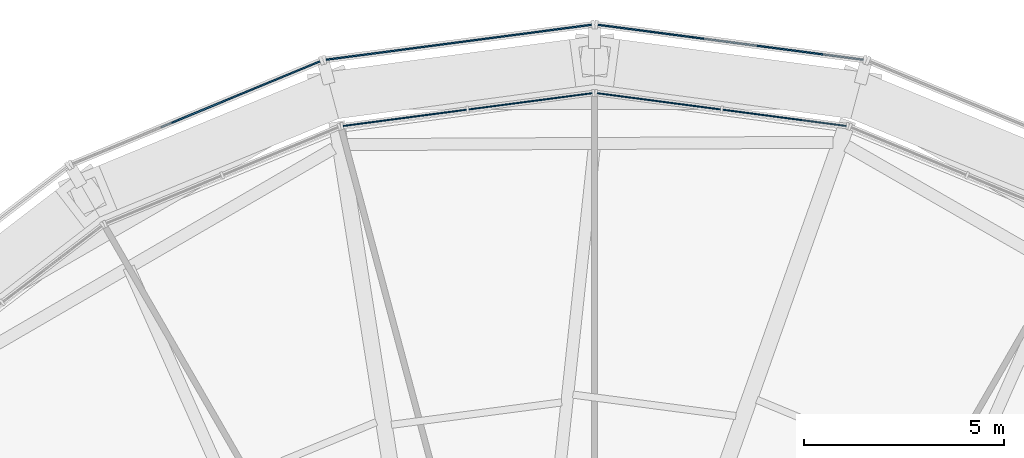
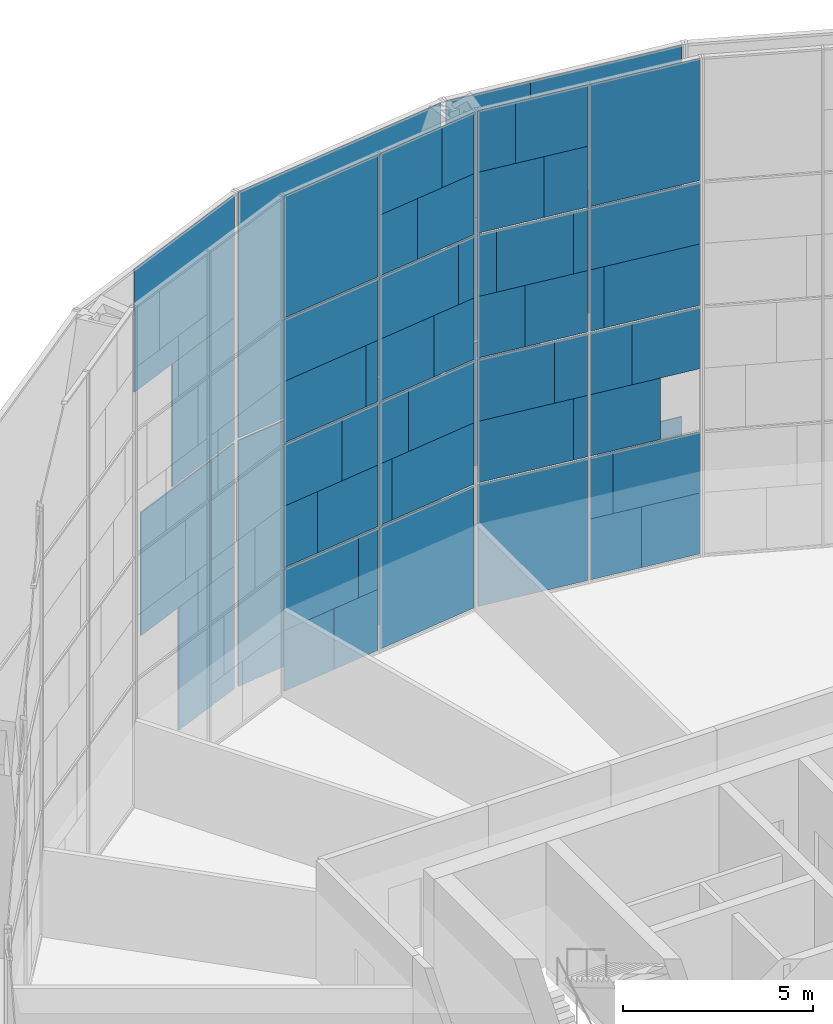
# One storey, part 23 of 30: 63 plates, 5 elements without a shape of their own.
"""IFC4 building model written with IfcOpenShell, lengths in metres."""

from ifc_helpers import new_model, si_unit, direction, frame, origin, origin_2d, place, context, subcontext, project, spatial, rectangle, extrude, material, layer, layer_set, type_object, element, aggregate, save


model = new_model("IFC4")

# Units and contexts
model_context = context("Model", 3, precision=1e-05, world=origin(), true_north=direction((0.0, 1.0)))
body_context = subcontext(model_context, "Body", "Model", "MODEL_VIEW")
ifc_project = project(units=[si_unit("LENGTHUNIT", "METRE"), si_unit("AREAUNIT", "SQUARE_METRE"), si_unit("VOLUMEUNIT", "CUBIC_METRE"), si_unit("PLANEANGLEUNIT", "RADIAN"), si_unit("MASSUNIT", "GRAM", prefix="KILO")], contexts=[model_context])

# Site, building, storey
site_placement = place(None, origin())
site = spatial("IfcSite", under=ifc_project, at=site_placement, CompositionType="ELEMENT")
building_placement = place(site_placement, origin())
building = spatial("IfcBuilding", under=site, at=building_placement, Name="Golbaran Civic Tower", CompositionType="ELEMENT")
storey_placement = place(building_placement, frame((0.0, 0.0, 102.0)))
storey = spatial("IfcBuildingStorey", under=building, at=storey_placement, Name="L24", CompositionType="ELEMENT", Elevation=102.0)

# Curtain wall, plates
ifc_material_1 = material(Name="Aluminium and glass", Category="aluminium")
curtain_wall_type_1 = type_object("IfcCurtainWallType", Name="INNER SKIN CURTAIN WALL", PredefinedType="NOTDEFINED", material=ifc_material_1)
curtain_wall_1_placement = place(storey_placement, origin())
curtain_wall_1 = element("IfcCurtainWall", 1, at=curtain_wall_1_placement, inside=storey, type_object=curtain_wall_type_1, Name="Inner skin L24 facet 6 CW1", ObjectType="INNER SKIN", PredefinedType="USERDEFINED")
ifc_material_2 = material(Name="Clear insulating glass", Category="glass")
ifc_layer_1 = layer(ifc_material_2, 0.031982421875, Name="Clear insulating glass")
ifc_layer_set_1 = layer_set([ifc_layer_1], Name="Clear insulating glass")
plate_type_1 = type_object("IfcPlateType", Name="INNER SKIN CURTAIN WALL GLAZED PANEL", PredefinedType="CURTAIN_PANEL", material=ifc_layer_set_1)
plate_1_placement = place(storey_placement, frame((3.936767578125, 24.059814453125, 0.06494140625), z_axis=(0.0, 0.0, 1.0), x_axis=(-0.991444861385, 0.130526192134, 0.0)))
plate_1 = element("IfcPlate", 2, at=plate_1_placement, type_object=plate_type_1, Name="CW1 panel 1.1 part 2", PredefinedType="CURTAIN_PANEL", context=body_context, shape_type="SweptSolid", body=[
    extrude(rectangle(XDim=1.460693359375, YDim=0.031982421875, at=origin_2d()), origin(), (0.0, 0.0, 1.0), 1.951171875),
])
plate_2_placement = place(storey_placement, frame((3.535888671875, 24.112548828125, 2.016357421875), z_axis=(0.0, 0.0, 1.0), x_axis=(-0.991444861385, 0.130526192134, 0.0)))
plate_2 = element("IfcPlate", 3, at=plate_2_placement, type_object=plate_type_1, Name="CW1 panel 1.1 part 4", PredefinedType="CURTAIN_PANEL", context=body_context, shape_type="SweptSolid", body=[
    extrude(rectangle(XDim=0.651611328125, YDim=0.031982421875, at=origin_2d()), origin(), (0.0, 0.0, 1.0), 1.951171875),
])
plate_3_placement = place(storey_placement, frame((5.345458984375, 23.874267578125, 6.0), z_axis=(0.0, 0.0, 1.0), x_axis=(-0.991444861385, 0.130526192134, 0.0)))
plate_3 = element("IfcPlate", 4, at=plate_3_placement, type_object=plate_type_1, Name="CW1 panel 1.2 part 3", PredefinedType="CURTAIN_PANEL", context=body_context, shape_type="SweptSolid", body=[
    extrude(rectangle(XDim=1.9189453125, YDim=0.031982421875, at=origin_2d()), origin(), (0.0, 0.0, 1.0), 1.967529296875),
])
plate_4_placement = place(storey_placement, frame((4.953857421875, 23.92578125, 8.03271484375), z_axis=(0.0, 0.0, 1.0), x_axis=(-0.991444861385, 0.130526192134, 0.0)))
plate_4 = element("IfcPlate", 5, at=plate_4_placement, type_object=plate_type_1, Name="CW1 panel 1.3 part 1", PredefinedType="CURTAIN_PANEL", context=body_context, shape_type="SweptSolid", body=[
    extrude(rectangle(XDim=2.708984375, YDim=0.031982421875, at=origin_2d()), origin(), (0.0, 0.0, 1.0), 1.967529296875),
])
plate_5_placement = place(storey_placement, frame((4.7548828125, 23.951904296875, 10.0), z_axis=(0.0, 0.0, 1.0), x_axis=(-0.991444861385, 0.130526192134, 0.0)))
plate_5 = element("IfcPlate", 6, at=plate_5_placement, type_object=plate_type_1, Name="CW1 panel 1.3 part 3", PredefinedType="CURTAIN_PANEL", context=body_context, shape_type="SweptSolid", body=[
    extrude(rectangle(XDim=3.110595703125, YDim=0.031982421875, at=origin_2d()), origin(), (0.0, 0.0, 1.0), 1.967529296875),
])
plate_6_placement = place(storey_placement, frame((4.7548828125, 23.951904296875, 12.0322265625), z_axis=(0.0, 0.0, 1.0), x_axis=(-0.991444861385, 0.130526192134, 0.0)))
plate_6 = element("IfcPlate", 7, at=plate_6_placement, type_object=plate_type_1, Name="CW1 panel 1.4", PredefinedType="CURTAIN_PANEL", context=body_context, shape_type="SweptSolid", body=[
    extrude(rectangle(XDim=3.110595703125, YDim=0.031982421875, at=origin_2d()), origin(), (0.0, 0.0, 1.0), 3.902587890625),
])
plate_7_placement = place(storey_placement, frame((1.6064453125, 24.366455078125, 0.06494140625), z_axis=(0.0, 0.0, 1.0), x_axis=(-0.991444861385, 0.130526192134, 0.0)))
plate_7 = element("IfcPlate", 8, at=plate_7_placement, type_object=plate_type_1, Name="CW1 panel 2.1", PredefinedType="CURTAIN_PANEL", context=body_context, shape_type="SweptSolid", body=[
    extrude(rectangle(XDim=3.110595703125, YDim=0.031982421875, at=origin_2d()), origin(), (0.0, 0.0, 1.0), 3.902587890625),
])
plate_8_placement = place(storey_placement, frame((1.40771484375, 24.392578125, 4.03271484375), z_axis=(0.0, 0.0, 1.0), x_axis=(-0.991444861385, 0.130526192134, 0.0)))
plate_8 = element("IfcPlate", 9, at=plate_8_placement, type_object=plate_type_1, Name="CW1 panel 2.2 part 2", PredefinedType="CURTAIN_PANEL", context=body_context, shape_type="SweptSolid", body=[
    extrude(rectangle(XDim=2.70947265625, YDim=0.031982421875, at=origin_2d()), origin(), (0.0, 0.0, 1.0), 1.967529296875),
])
plate_9_placement = place(storey_placement, frame((1.140380859375, 24.427978515625, 6.0), z_axis=(0.0, 0.0, 1.0), x_axis=(-0.991444861385, 0.130526192134, 0.0)))
plate_9 = element("IfcPlate", 10, at=plate_9_placement, type_object=plate_type_1, Name="CW1 panel 2.2 part 4", PredefinedType="CURTAIN_PANEL", context=body_context, shape_type="SweptSolid", body=[
    extrude(rectangle(XDim=2.170654296875, YDim=0.031982421875, at=origin_2d()), origin(), (0.0, 0.0, 1.0), 1.967529296875),
])
plate_10_placement = place(storey_placement, frame((0.72314453125, 24.48291015625, 8.03271484375), z_axis=(0.0, 0.0, 1.0), x_axis=(-0.991444861385, 0.130526192134, 0.0)))
plate_10 = element("IfcPlate", 11, at=plate_10_placement, type_object=plate_type_1, Name="CW1 panel 2.3 part 2", PredefinedType="CURTAIN_PANEL", context=body_context, shape_type="SweptSolid", body=[
    extrude(rectangle(XDim=1.32861328125, YDim=0.031982421875, at=origin_2d()), origin(), (0.0, 0.0, 1.0), 1.967529296875),
])
plate_11_placement = place(storey_placement, frame((2.9501953125, 24.189697265625, 10.0), z_axis=(0.0, 0.0, 1.0), x_axis=(-0.991444861385, 0.130526192134, 0.0)))
plate_11 = element("IfcPlate", 12, at=plate_11_placement, type_object=plate_type_1, Name="CW1 panel 2.3 part 3", PredefinedType="CURTAIN_PANEL", context=body_context, shape_type="SweptSolid", body=[
    extrude(rectangle(XDim=0.39990234375, YDim=0.031982421875, at=origin_2d()), origin(), (0.0, 0.0, 1.0), 1.967529296875),
])
plate_12_placement = place(storey_placement, frame((0.319091796875, 24.535888671875, 10.0), z_axis=(0.0, 0.0, 1.0), x_axis=(-0.991444861385, 0.130526192134, 0.0)))
plate_12 = element("IfcPlate", 13, at=plate_12_placement, type_object=plate_type_1, Name="CW1 panel 2.3 part 5", PredefinedType="CURTAIN_PANEL", context=body_context, shape_type="SweptSolid", body=[
    extrude(rectangle(XDim=0.513671875, YDim=0.031982421875, at=origin_2d()), origin(), (0.0, 0.0, 1.0), 1.967529296875),
])
plate_13_placement = place(storey_placement, frame((2.53271484375, 24.24462890625, 12.032470703125), z_axis=(0.0, 0.0, 1.0), x_axis=(-0.991444861385, 0.130526192134, 0.0)))
plate_13 = element("IfcPlate", 14, at=plate_13_placement, type_object=plate_type_1, Name="CW1 panel 2.4 part 1", PredefinedType="CURTAIN_PANEL", context=body_context, shape_type="SweptSolid", body=[
    extrude(rectangle(XDim=1.241943359375, YDim=0.031982421875, at=origin_2d()), origin(), (0.0, 0.0, 1.0), 1.951171875),
])
plate_14_placement = place(storey_placement, frame((2.132080078125, 24.29736328125, 13.98388671875), z_axis=(0.0, 0.0, 1.0), x_axis=(-0.991444861385, 0.130526192134, 0.0)))
plate_14 = element("IfcPlate", 15, at=plate_14_placement, type_object=plate_type_1, Name="CW1 panel 2.4 part 3", PredefinedType="CURTAIN_PANEL", context=body_context, shape_type="SweptSolid", body=[
    extrude(rectangle(XDim=2.050048828125, YDim=0.031982421875, at=origin_2d()), origin(), (0.0, 0.0, 1.0), 1.951171875),
])

curtain_wall_2_placement = place(storey_placement, origin())
curtain_wall_2 = element("IfcCurtainWall", 16, at=curtain_wall_2_placement, inside=storey, type_object=curtain_wall_type_1, Name="Inner skin L24 facet 7 CW1", ObjectType="INNER SKIN", PredefinedType="USERDEFINED")
plate_15_placement = place(storey_placement, frame((-1.6064453125, 24.366455078125, 0.06494140625), z_axis=(0.0, 0.0, 1.0), x_axis=(-0.991444861385, -0.130526192134, 0.0)))
plate_15 = element("IfcPlate", 17, at=plate_15_placement, type_object=plate_type_1, Name="CW1 panel 1.1", PredefinedType="CURTAIN_PANEL", context=body_context, shape_type="SweptSolid", body=[
    extrude(rectangle(XDim=3.110595703125, YDim=0.031982421875, at=origin_2d()), origin(), (0.0, 0.0, 1.0), 3.902587890625),
])
plate_16_placement = place(storey_placement, frame((-1.407470703125, 24.392822265625, 4.03271484375), z_axis=(0.0, 0.0, 1.0), x_axis=(-0.991444861385, -0.130526192134, 0.0)))
plate_16 = element("IfcPlate", 18, at=plate_16_placement, type_object=plate_type_1, Name="CW1 panel 1.2 part 1", PredefinedType="CURTAIN_PANEL", context=body_context, shape_type="SweptSolid", body=[
    extrude(rectangle(XDim=2.708984375, YDim=0.031982421875, at=origin_2d()), origin(), (0.0, 0.0, 1.0), 1.967529296875),
])
plate_17_placement = place(storey_placement, frame((-1.140625, 24.427734375, 6.0), z_axis=(0.0, 0.0, 1.0), x_axis=(-0.991444861385, -0.130526192134, 0.0)))
plate_17 = element("IfcPlate", 19, at=plate_17_placement, type_object=plate_type_1, Name="CW1 panel 1.2 part 3", PredefinedType="CURTAIN_PANEL", context=body_context, shape_type="SweptSolid", body=[
    extrude(rectangle(XDim=2.1708984375, YDim=0.031982421875, at=origin_2d()), origin(), (0.0, 0.0, 1.0), 1.967529296875),
])
plate_18_placement = place(storey_placement, frame((-0.72314453125, 24.482666015625, 8.03271484375), z_axis=(0.0, 0.0, 1.0), x_axis=(-0.991444861385, -0.130526192134, 0.0)))
plate_18 = element("IfcPlate", 20, at=plate_18_placement, type_object=plate_type_1, Name="CW1 panel 1.3 part 1", PredefinedType="CURTAIN_PANEL", context=body_context, shape_type="SweptSolid", body=[
    extrude(rectangle(XDim=1.3291015625, YDim=0.031982421875, at=origin_2d()), origin(), (0.0, 0.0, 1.0), 1.967529296875),
])
plate_19_placement = place(storey_placement, frame((-0.3193359375, 24.535888671875, 10.0), z_axis=(0.0, 0.0, 1.0), x_axis=(-0.991444861385, -0.130526192134, 0.0)))
plate_19 = element("IfcPlate", 21, at=plate_19_placement, type_object=plate_type_1, Name="CW1 panel 1.3 part 3", PredefinedType="CURTAIN_PANEL", context=body_context, shape_type="SweptSolid", body=[
    extrude(rectangle(XDim=0.513916015625, YDim=0.031982421875, at=origin_2d()), origin(), (0.0, 0.0, 1.0), 1.967529296875),
])
plate_20_placement = place(storey_placement, frame((-2.532958984375, 24.24462890625, 12.032470703125), z_axis=(0.0, 0.0, 1.0), x_axis=(-0.991444861385, -0.130526192134, 0.0)))
plate_20 = element("IfcPlate", 22, at=plate_20_placement, type_object=plate_type_1, Name="CW1 panel 1.4 part 2", PredefinedType="CURTAIN_PANEL", context=body_context, shape_type="SweptSolid", body=[
    extrude(rectangle(XDim=1.241455078125, YDim=0.031982421875, at=origin_2d()), origin(), (0.0, 0.0, 1.0), 1.951171875),
])
plate_21_placement = place(storey_placement, frame((-2.13232421875, 24.29736328125, 13.98388671875), z_axis=(0.0, 0.0, 1.0), x_axis=(-0.991444861385, -0.130526192134, 0.0)))
plate_21 = element("IfcPlate", 23, at=plate_21_placement, type_object=plate_type_1, Name="CW1 panel 1.4 part 4", PredefinedType="CURTAIN_PANEL", context=body_context, shape_type="SweptSolid", body=[
    extrude(rectangle(XDim=2.049560546875, YDim=0.031982421875, at=origin_2d()), origin(), (0.0, 0.0, 1.0), 1.951171875),
])
plate_22_placement = place(storey_placement, frame((-3.9365234375, 24.059814453125, 0.06494140625), z_axis=(0.0, 0.0, 1.0), x_axis=(-0.991444861385, -0.130526192134, 0.0)))
plate_22 = element("IfcPlate", 24, at=plate_22_placement, type_object=plate_type_1, Name="CW1 panel 2.1 part 1", PredefinedType="CURTAIN_PANEL", context=body_context, shape_type="SweptSolid", body=[
    extrude(rectangle(XDim=1.4599609375, YDim=0.031982421875, at=origin_2d()), origin(), (0.0, 0.0, 1.0), 1.951171875),
])
plate_23_placement = place(storey_placement, frame((-3.5361328125, 24.112548828125, 2.016357421875), z_axis=(0.0, 0.0, 1.0), x_axis=(-0.991444861385, -0.130526192134, 0.0)))
plate_23 = element("IfcPlate", 25, at=plate_23_placement, type_object=plate_type_1, Name="CW1 panel 2.1 part 3", PredefinedType="CURTAIN_PANEL", context=body_context, shape_type="SweptSolid", body=[
    extrude(rectangle(XDim=0.652099609375, YDim=0.031982421875, at=origin_2d()), origin(), (0.0, 0.0, 1.0), 1.951171875),
])
plate_24_placement = place(storey_placement, frame((-5.749755859375, 23.821044921875, 4.03271484375), z_axis=(0.0, 0.0, 1.0), x_axis=(-0.991444861385, -0.130526192134, 0.0)))
plate_24 = element("IfcPlate", 26, at=plate_24_placement, type_object=plate_type_1, Name="CW1 panel 2.2 part 2", PredefinedType="CURTAIN_PANEL", context=body_context, shape_type="SweptSolid", body=[
    extrude(rectangle(XDim=1.103515625, YDim=0.031982421875, at=origin_2d()), origin(), (0.0, 0.0, 1.0), 1.967529296875),
])
plate_25_placement = place(storey_placement, frame((-5.345703125, 23.874267578125, 6.0), z_axis=(0.0, 0.0, 1.0), x_axis=(-0.991444861385, -0.130526192134, 0.0)))
plate_25 = element("IfcPlate", 27, at=plate_25_placement, type_object=plate_type_1, Name="CW1 panel 2.2 part 4", PredefinedType="CURTAIN_PANEL", context=body_context, shape_type="SweptSolid", body=[
    extrude(rectangle(XDim=1.91845703125, YDim=0.031982421875, at=origin_2d()), origin(), (0.0, 0.0, 1.0), 1.967529296875),
])
plate_26_placement = place(storey_placement, frame((-4.953125, 23.926025390625, 8.03271484375), z_axis=(0.0, 0.0, 1.0), x_axis=(-0.991444861385, -0.130526192134, 0.0)))
plate_26 = element("IfcPlate", 28, at=plate_26_placement, type_object=plate_type_1, Name="CW1 panel 2.3 part 2", PredefinedType="CURTAIN_PANEL", context=body_context, shape_type="SweptSolid", body=[
    extrude(rectangle(XDim=2.710693359375, YDim=0.031982421875, at=origin_2d()), origin(), (0.0, 0.0, 1.0), 1.967529296875),
])
plate_27_placement = place(storey_placement, frame((-4.7548828125, 23.951904296875, 10.0), z_axis=(0.0, 0.0, 1.0), x_axis=(-0.991444861385, -0.130526192134, 0.0)))
plate_27 = element("IfcPlate", 29, at=plate_27_placement, type_object=plate_type_1, Name="CW1 panel 2.3 part 3", PredefinedType="CURTAIN_PANEL", context=body_context, shape_type="SweptSolid", body=[
    extrude(rectangle(XDim=3.110595703125, YDim=0.031982421875, at=origin_2d()), origin(), (0.0, 0.0, 1.0), 1.967529296875),
])
plate_28_placement = place(storey_placement, frame((-4.7548828125, 23.951904296875, 12.0322265625), z_axis=(0.0, 0.0, 1.0), x_axis=(-0.991444861385, -0.130526192134, 0.0)))
plate_28 = element("IfcPlate", 30, at=plate_28_placement, type_object=plate_type_1, Name="CW1 panel 2.4", PredefinedType="CURTAIN_PANEL", context=body_context, shape_type="SweptSolid", body=[
    extrude(rectangle(XDim=3.110595703125, YDim=0.031982421875, at=origin_2d()), origin(), (0.0, 0.0, 1.0), 3.902587890625),
])

# Plate
ifc_material_3 = material(Name="Aluminium faced opaque infill panel", Category="aluminium")
ifc_layer_2 = layer(ifc_material_3, 0.031982421875, Name="Aluminium faced opaque infill panel")
ifc_layer_set_2 = layer_set([ifc_layer_2], Name="Aluminium faced opaque infill panel")
plate_type_2 = type_object("IfcPlateType", Name="INNER SKIN CURTAIN WALL OPAQUE INFILL PANEL", PredefinedType="CURTAIN_PANEL", material=ifc_layer_set_2)
plate_29_placement = place(storey_placement, frame((5.478759765625, 23.856689453125, 0.06494140625), z_axis=(0.0, 0.0, 1.0), x_axis=(-0.991444861385, 0.130526192134, 0.0)))
plate_29 = element("IfcPlate", 31, at=plate_29_placement, type_object=plate_type_2, Name="CW1 infill panel 1.1 part 1", PredefinedType="CURTAIN_PANEL", context=body_context, shape_type="SweptSolid", body=[
    extrude(rectangle(XDim=1.64990234375, YDim=0.031982421875, at=origin_2d()), origin(), (0.0, 0.0, 1.0), 1.951171875),
])

plate_30_placement = place(storey_placement, frame((5.077880859375, 23.909423828125, 2.016357421875), z_axis=(0.0, 0.0, 1.0), x_axis=(-0.991444861385, 0.130526192134, 0.0)))
plate_30 = element("IfcPlate", 32, at=plate_30_placement, type_object=plate_type_2, Name="CW1 infill panel 1.1 part 3", PredefinedType="CURTAIN_PANEL", context=body_context, shape_type="SweptSolid", body=[
    extrude(rectangle(XDim=2.458984375, YDim=0.031982421875, at=origin_2d()), origin(), (0.0, 0.0, 1.0), 1.951171875),
])

plate_31_placement = place(storey_placement, frame((4.20751953125, 24.024169921875, 4.03271484375), z_axis=(0.0, 0.0, 1.0), x_axis=(-0.991444861385, 0.130526192134, 0.0)))
plate_31 = element("IfcPlate", 33, at=plate_31_placement, type_object=plate_type_2, Name="CW1 infill panel 1.2 part 2", PredefinedType="CURTAIN_PANEL", context=body_context, shape_type="SweptSolid", body=[
    extrude(rectangle(XDim=2.006591796875, YDim=0.031982421875, at=origin_2d()), origin(), (0.0, 0.0, 1.0), 1.967529296875),
])

plate_32_placement = place(storey_placement, frame((3.803466796875, 24.0771484375, 6.0), z_axis=(0.0, 0.0, 1.0), x_axis=(-0.991444861385, 0.130526192134, 0.0)))
plate_32 = element("IfcPlate", 34, at=plate_32_placement, type_object=plate_type_2, Name="CW1 infill panel 1.2 part 4", PredefinedType="CURTAIN_PANEL", context=body_context, shape_type="SweptSolid", body=[
    extrude(rectangle(XDim=1.191650390625, YDim=0.031982421875, at=origin_2d()), origin(), (0.0, 0.0, 1.0), 1.967529296875),
])

plate_33_placement = place(storey_placement, frame((3.411865234375, 24.12890625, 8.03271484375), z_axis=(0.0, 0.0, 1.0), x_axis=(-0.991444861385, 0.130526192134, 0.0)))
plate_33 = element("IfcPlate", 35, at=plate_33_placement, type_object=plate_type_2, Name="CW1 infill panel 1.3 part 2", PredefinedType="CURTAIN_PANEL", context=body_context, shape_type="SweptSolid", body=[
    extrude(rectangle(XDim=0.401611328125, YDim=0.031982421875, at=origin_2d()), origin(), (0.0, 0.0, 1.0), 1.967529296875),
])

plate_34_placement = place(storey_placement, frame((2.94970703125, 24.189697265625, 4.03271484375), z_axis=(0.0, 0.0, 1.0), x_axis=(-0.991444861385, 0.130526192134, 0.0)))
plate_34 = element("IfcPlate", 36, at=plate_34_placement, type_object=plate_type_2, Name="CW1 infill panel 2.2 part 1", PredefinedType="CURTAIN_PANEL", context=body_context, shape_type="SweptSolid", body=[
    extrude(rectangle(XDim=0.40087890625, YDim=0.031982421875, at=origin_2d()), origin(), (0.0, 0.0, 1.0), 1.967529296875),
])

plate_35_placement = place(storey_placement, frame((2.682373046875, 24.224853515625, 6.0), z_axis=(0.0, 0.0, 1.0), x_axis=(-0.991444861385, 0.130526192134, 0.0)))
plate_35 = element("IfcPlate", 37, at=plate_35_placement, type_object=plate_type_2, Name="CW1 infill panel 2.2 part 3", PredefinedType="CURTAIN_PANEL", context=body_context, shape_type="SweptSolid", body=[
    extrude(rectangle(XDim=0.93994140625, YDim=0.031982421875, at=origin_2d()), origin(), (0.0, 0.0, 1.0), 1.967529296875),
])

plate_36_placement = place(storey_placement, frame((2.26513671875, 24.27978515625, 8.03271484375), z_axis=(0.0, 0.0, 1.0), x_axis=(-0.991444861385, 0.130526192134, 0.0)))
plate_36 = element("IfcPlate", 38, at=plate_36_placement, type_object=plate_type_2, Name="CW1 infill panel 2.3 part 1", PredefinedType="CURTAIN_PANEL", context=body_context, shape_type="SweptSolid", body=[
    extrude(rectangle(XDim=1.781982421875, YDim=0.031982421875, at=origin_2d()), origin(), (0.0, 0.0, 1.0), 1.967529296875),
])

plate_37_placement = place(storey_placement, frame((1.662841796875, 24.359130859375, 10.0), z_axis=(0.0, 0.0, 1.0), x_axis=(-0.991444861385, 0.130526192134, 0.0)))
plate_37 = element("IfcPlate", 39, at=plate_37_placement, type_object=plate_type_2, Name="CW1 infill panel 2.3 part 4", PredefinedType="CURTAIN_PANEL", context=body_context, shape_type="SweptSolid", body=[
    extrude(rectangle(XDim=2.197021484375, YDim=0.031982421875, at=origin_2d()), origin(), (0.0, 0.0, 1.0), 1.967529296875),
])

plate_38_placement = place(storey_placement, frame((0.99072265625, 24.447509765625, 12.032470703125), z_axis=(0.0, 0.0, 1.0), x_axis=(-0.991444861385, 0.130526192134, 0.0)))
plate_38 = element("IfcPlate", 40, at=plate_38_placement, type_object=plate_type_2, Name="CW1 infill panel 2.4 part 2", PredefinedType="CURTAIN_PANEL", context=body_context, shape_type="SweptSolid", body=[
    extrude(rectangle(XDim=1.86865234375, YDim=0.031982421875, at=origin_2d()), origin(), (0.0, 0.0, 1.0), 1.951171875),
])

plate_39_placement = place(storey_placement, frame((0.590087890625, 24.500244140625, 13.98388671875), z_axis=(0.0, 0.0, 1.0), x_axis=(-0.991444861385, 0.130526192134, 0.0)))
plate_39 = element("IfcPlate", 41, at=plate_39_placement, type_object=plate_type_2, Name="CW1 infill panel 2.4 part 4", PredefinedType="CURTAIN_PANEL", context=body_context, shape_type="SweptSolid", body=[
    extrude(rectangle(XDim=1.060546875, YDim=0.031982421875, at=origin_2d()), origin(), (0.0, 0.0, 1.0), 1.951171875),
])

aggregate(curtain_wall_1, [plate_29, plate_1, plate_30, plate_2, plate_31, plate_3, plate_32, plate_4, plate_33, plate_5, plate_6, plate_7, plate_34, plate_8, plate_35, plate_9, plate_36, plate_10, plate_11, plate_37, plate_12, plate_13, plate_38, plate_14, plate_39])

plate_40_placement = place(storey_placement, frame((-2.94921875, 24.189697265625, 4.03271484375), z_axis=(0.0, 0.0, 1.0), x_axis=(-0.991444861385, -0.130526192134, 0.0)))
plate_40 = element("IfcPlate", 42, at=plate_40_placement, type_object=plate_type_2, Name="CW1 infill panel 1.2 part 2", PredefinedType="CURTAIN_PANEL", context=body_context, shape_type="SweptSolid", body=[
    extrude(rectangle(XDim=0.401611328125, YDim=0.031982421875, at=origin_2d()), origin(), (0.0, 0.0, 1.0), 1.967529296875),
])

plate_41_placement = place(storey_placement, frame((-2.6826171875, 24.224853515625, 6.0), z_axis=(0.0, 0.0, 1.0), x_axis=(-0.991444861385, -0.130526192134, 0.0)))
plate_41 = element("IfcPlate", 43, at=plate_41_placement, type_object=plate_type_2, Name="CW1 infill panel 1.2 part 4", PredefinedType="CURTAIN_PANEL", context=body_context, shape_type="SweptSolid", body=[
    extrude(rectangle(XDim=0.939453125, YDim=0.031982421875, at=origin_2d()), origin(), (0.0, 0.0, 1.0), 1.967529296875),
])

plate_42_placement = place(storey_placement, frame((-2.26513671875, 24.27978515625, 8.03271484375), z_axis=(0.0, 0.0, 1.0), x_axis=(-0.991444861385, -0.130526192134, 0.0)))
plate_42 = element("IfcPlate", 44, at=plate_42_placement, type_object=plate_type_2, Name="CW1 infill panel 1.3 part 2", PredefinedType="CURTAIN_PANEL", context=body_context, shape_type="SweptSolid", body=[
    extrude(rectangle(XDim=1.781494140625, YDim=0.031982421875, at=origin_2d()), origin(), (0.0, 0.0, 1.0), 1.967529296875),
])

plate_43_placement = place(storey_placement, frame((-1.861328125, 24.3330078125, 10.0), z_axis=(0.0, 0.0, 1.0), x_axis=(-0.991444861385, -0.130526192134, 0.0)))
plate_43 = element("IfcPlate", 45, at=plate_43_placement, type_object=plate_type_2, Name="CW1 infill panel 1.3 part 4", PredefinedType="CURTAIN_PANEL", context=body_context, shape_type="SweptSolid", body=[
    extrude(rectangle(XDim=2.5966796875, YDim=0.031982421875, at=origin_2d()), origin(), (0.0, 0.0, 1.0), 1.967529296875),
])

plate_44_placement = place(storey_placement, frame((-0.990966796875, 24.447509765625, 12.032470703125), z_axis=(0.0, 0.0, 1.0), x_axis=(-0.991444861385, -0.130526192134, 0.0)))
plate_44 = element("IfcPlate", 46, at=plate_44_placement, type_object=plate_type_2, Name="CW1 infill panel 1.4 part 1", PredefinedType="CURTAIN_PANEL", context=body_context, shape_type="SweptSolid", body=[
    extrude(rectangle(XDim=1.868896484375, YDim=0.031982421875, at=origin_2d()), origin(), (0.0, 0.0, 1.0), 1.951171875),
])

plate_45_placement = place(storey_placement, frame((-0.59033203125, 24.500244140625, 13.98388671875), z_axis=(0.0, 0.0, 1.0), x_axis=(-0.991444861385, -0.130526192134, 0.0)))
plate_45 = element("IfcPlate", 47, at=plate_45_placement, type_object=plate_type_2, Name="CW1 infill panel 1.4 part 3", PredefinedType="CURTAIN_PANEL", context=body_context, shape_type="SweptSolid", body=[
    extrude(rectangle(XDim=1.06103515625, YDim=0.031982421875, at=origin_2d()), origin(), (0.0, 0.0, 1.0), 1.951171875),
])

plate_46_placement = place(storey_placement, frame((-5.478515625, 23.856689453125, 0.06494140625), z_axis=(0.0, 0.0, 1.0), x_axis=(-0.991444861385, -0.130526192134, 0.0)))
plate_46 = element("IfcPlate", 48, at=plate_46_placement, type_object=plate_type_2, Name="CW1 infill panel 2.1 part 2", PredefinedType="CURTAIN_PANEL", context=body_context, shape_type="SweptSolid", body=[
    extrude(rectangle(XDim=1.650634765625, YDim=0.031982421875, at=origin_2d()), origin(), (0.0, 0.0, 1.0), 1.951171875),
])

plate_47_placement = place(storey_placement, frame((-5.078125, 23.909423828125, 2.016357421875), z_axis=(0.0, 0.0, 1.0), x_axis=(-0.991444861385, -0.130526192134, 0.0)))
plate_47 = element("IfcPlate", 49, at=plate_47_placement, type_object=plate_type_2, Name="CW1 infill panel 2.1 part 4", PredefinedType="CURTAIN_PANEL", context=body_context, shape_type="SweptSolid", body=[
    extrude(rectangle(XDim=2.45849609375, YDim=0.031982421875, at=origin_2d()), origin(), (0.0, 0.0, 1.0), 1.951171875),
])

plate_48_placement = place(storey_placement, frame((-4.207763671875, 24.02392578125, 4.03271484375), z_axis=(0.0, 0.0, 1.0), x_axis=(-0.991444861385, -0.130526192134, 0.0)))
plate_48 = element("IfcPlate", 50, at=plate_48_placement, type_object=plate_type_2, Name="CW1 infill panel 2.2 part 1", PredefinedType="CURTAIN_PANEL", context=body_context, shape_type="SweptSolid", body=[
    extrude(rectangle(XDim=2.007080078125, YDim=0.031982421875, at=origin_2d()), origin(), (0.0, 0.0, 1.0), 1.967529296875),
])

plate_49_placement = place(storey_placement, frame((-3.8037109375, 24.0771484375, 6.0), z_axis=(0.0, 0.0, 1.0), x_axis=(-0.991444861385, -0.130526192134, 0.0)))
plate_49 = element("IfcPlate", 51, at=plate_49_placement, type_object=plate_type_2, Name="CW1 infill panel 2.2 part 3", PredefinedType="CURTAIN_PANEL", context=body_context, shape_type="SweptSolid", body=[
    extrude(rectangle(XDim=1.19189453125, YDim=0.031982421875, at=origin_2d()), origin(), (0.0, 0.0, 1.0), 1.967529296875),
])

plate_50_placement = place(storey_placement, frame((-3.4111328125, 24.12890625, 8.03271484375), z_axis=(0.0, 0.0, 1.0), x_axis=(-0.991444861385, -0.130526192134, 0.0)))
plate_50 = element("IfcPlate", 52, at=plate_50_placement, type_object=plate_type_2, Name="CW1 infill panel 2.3 part 1", PredefinedType="CURTAIN_PANEL", context=body_context, shape_type="SweptSolid", body=[
    extrude(rectangle(XDim=0.39990234375, YDim=0.031982421875, at=origin_2d()), origin(), (0.0, 0.0, 1.0), 1.967529296875),
])

aggregate(curtain_wall_2, [plate_15, plate_16, plate_40, plate_17, plate_41, plate_18, plate_42, plate_19, plate_43, plate_44, plate_20, plate_45, plate_21, plate_22, plate_46, plate_23, plate_47, plate_48, plate_24, plate_49, plate_25, plate_50, plate_26, plate_27, plate_28])

# Curtain wall, plates
curtain_wall_type_2 = type_object("IfcCurtainWallType", Name="OUTER SKIN TERRACOTTA SCREEN", PredefinedType="NOTDEFINED", material=ifc_material_1)
curtain_wall_3_placement = place(storey_placement, origin())
curtain_wall_3 = element("IfcCurtainWall", 53, at=curtain_wall_3_placement, inside=storey, type_object=curtain_wall_type_2, Name="Outer skin L24 facet 6 CW3", ObjectType="OUTER SKIN", PredefinedType="USERDEFINED")
ifc_material_4 = material(Name="Clear laminated glass", Category="glass")
ifc_layer_3 = layer(ifc_material_4, 0.0400390625, Name="Clear laminated glass")
ifc_layer_set_3 = layer_set([ifc_layer_3], Name="Clear laminated glass")
plate_type_3 = type_object("IfcPlateType", Name="OUTER SKIN CLEAR GLASS PANEL", PredefinedType="CURTAIN_PANEL", material=ifc_layer_set_3)
plate_51_placement = place(storey_placement, frame((1.40625, 26.10791015625, 3.31005859375), z_axis=(0.0, 0.0, 1.0), x_axis=(-0.991444861381, 0.130526192168, 0.0)))
plate_51 = element("IfcPlate", 54, at=plate_51_placement, type_object=plate_type_3, Name="CW3 panel 1.1 part 5", PredefinedType="CURTAIN_PANEL", context=body_context, shape_type="SweptSolid", body=[
    extrude(rectangle(XDim=2.6767578125, YDim=0.0400390625, at=origin_2d()), origin(), (0.0, 0.0, 1.0), 3.93994140625),
])
plate_52_placement = place(storey_placement, frame((5.398193359375, 25.582275390625, 7.330078125), z_axis=(0.0, 0.0, 1.0), x_axis=(-0.991444861381, 0.130526192168, 0.0)))
plate_52 = element("IfcPlate", 55, at=plate_52_placement, type_object=plate_type_3, Name="CW3 panel 1.2 part 1", PredefinedType="CURTAIN_PANEL", context=body_context, shape_type="SweptSolid", body=[
    extrude(rectangle(XDim=2.677978515625, YDim=0.0400390625, at=origin_2d()), origin(), (0.0, 0.0, 1.0), 3.93994140625),
])
plate_53_placement = place(storey_placement, frame((0.580810546875, 26.216552734375, 7.330078125), z_axis=(0.0, 0.0, 1.0), x_axis=(-0.991444861381, 0.130526192168, 0.0)))
plate_53 = element("IfcPlate", 56, at=plate_53_placement, type_object=plate_type_3, Name="CW3 panel 1.2 part 3", PredefinedType="CURTAIN_PANEL", context=body_context, shape_type="SweptSolid", body=[
    extrude(rectangle(XDim=1.011962890625, YDim=0.0400390625, at=origin_2d()), origin(), (0.0, 0.0, 1.0), 3.93994140625),
])
plate_54_placement = place(storey_placement, frame((4.58935546875, 25.688720703125, 11.27001953125), z_axis=(0.0, 0.0, 1.0), x_axis=(-0.991444861381, 0.130526192168, 0.0)))
plate_54 = element("IfcPlate", 57, at=plate_54_placement, type_object=plate_type_3, Name="CW3 panel 1.2 part 4", PredefinedType="CURTAIN_PANEL", context=body_context, shape_type="SweptSolid", body=[
    extrude(rectangle(XDim=4.31005859375, YDim=0.0400390625, at=origin_2d()), origin(), (0.0, 0.0, 1.0), 3.93994140625),
])

curtain_wall_4_placement = place(storey_placement, origin())
curtain_wall_4 = element("IfcCurtainWall", 58, at=curtain_wall_4_placement, inside=storey, type_object=curtain_wall_type_2, Name="Outer skin L24 facet 8 CW3", ObjectType="OUTER SKIN", PredefinedType="USERDEFINED")
plate_55_placement = place(storey_placement, frame((-7.346923828125, 25.172607421875, 3.31005859375), z_axis=(0.0, 0.0, 1.0), x_axis=(-0.923879532505, -0.382683432381, 0.0)))
plate_55 = element("IfcPlate", 59, at=plate_55_placement, type_object=plate_type_3, Name="CW3 panel 1.1 part 3", PredefinedType="CURTAIN_PANEL", context=body_context, shape_type="SweptSolid", body=[
    extrude(rectangle(XDim=1.012939453125, YDim=0.0400390625, at=origin_2d()), origin(), (0.0, 0.0, 1.0), 3.93994140625),
])
plate_56_placement = place(storey_placement, frame((-8.1162109375, 24.85400390625, 7.330078125), z_axis=(0.0, 0.0, 1.0), x_axis=(-0.923879532505, -0.382683432381, 0.0)))
plate_56 = element("IfcPlate", 60, at=plate_56_placement, type_object=plate_type_3, Name="CW3 panel 1.2 part 1", PredefinedType="CURTAIN_PANEL", context=body_context, shape_type="SweptSolid", body=[
    extrude(rectangle(XDim=2.677978515625, YDim=0.0400390625, at=origin_2d()), origin(), (0.0, 0.0, 1.0), 3.93994140625),
])
plate_57_placement = place(storey_placement, frame((-8.8701171875, 24.541748046875, 11.27001953125), z_axis=(0.0, 0.0, 1.0), x_axis=(-0.923879532505, -0.382683432381, 0.0)))
plate_57 = element("IfcPlate", 61, at=plate_57_placement, type_object=plate_type_3, Name="CW3 panel 1.2 part 4", PredefinedType="CURTAIN_PANEL", context=body_context, shape_type="SweptSolid", body=[
    extrude(rectangle(XDim=4.31005859375, YDim=0.0400390625, at=origin_2d()), origin(), (0.0, 0.0, 1.0), 3.93994140625),
])

# Plate
ifc_material_5 = material(Name="Terracotta baguette screen", Category="masonry")
ifc_layer_4 = layer(ifc_material_5, 0.0400390625, Name="Terracotta baguette screen")
ifc_layer_set_4 = layer_set([ifc_layer_4], Name="Terracotta baguette screen")
plate_type_4 = type_object("IfcPlateType", Name="OUTER SKIN TERRACOTTA INFILL PANEL", PredefinedType="CURTAIN_PANEL", material=ifc_layer_set_4)
plate_58_placement = place(storey_placement, frame((5.53857421875, 25.563720703125, -0.6298828125), z_axis=(0.0, 0.0, 1.0), x_axis=(-0.991444861381, 0.130526192168, 0.0)))
plate_58 = element("IfcPlate", 62, at=plate_58_placement, type_object=plate_type_4, Name="CW3 infill panel 1.1 part 1", PredefinedType="CURTAIN_PANEL", context=body_context, shape_type="SweptSolid", body=[
    extrude(rectangle(XDim=2.39501953125, YDim=0.0400390625, at=origin_2d()), origin(), (0.0, 0.0, 1.0), 3.93994140625),
])

plate_59_placement = place(storey_placement, frame((1.26611328125, 26.126220703125, 11.27001953125), z_axis=(0.0, 0.0, 1.0), x_axis=(-0.991444861381, 0.130526192168, 0.0)))
plate_59 = element("IfcPlate", 63, at=plate_59_placement, type_object=plate_type_4, Name="CW3 infill panel 1.2 part 5", PredefinedType="CURTAIN_PANEL", context=body_context, shape_type="SweptSolid", body=[
    extrude(rectangle(XDim=2.393798828125, YDim=0.0400390625, at=origin_2d()), origin(), (0.0, 0.0, 1.0), 3.93994140625),
])

aggregate(curtain_wall_3, [plate_58, plate_51, plate_52, plate_53, plate_54, plate_59])

plate_60_placement = place(storey_placement, frame((-7.9853515625, 24.908203125, -0.6298828125), z_axis=(0.0, 0.0, 1.0), x_axis=(-0.923879532505, -0.382683432381, 0.0)))
plate_60 = element("IfcPlate", 64, at=plate_60_placement, type_object=plate_type_4, Name="CW3 infill panel 1.1 part 1", PredefinedType="CURTAIN_PANEL", context=body_context, shape_type="SweptSolid", body=[
    extrude(rectangle(XDim=2.39501953125, YDim=0.0400390625, at=origin_2d()), origin(), (0.0, 0.0, 1.0), 3.93994140625),
])

plate_61_placement = place(storey_placement, frame((-9.207275390625, 24.402099609375, 3.31005859375), z_axis=(0.0, 0.0, 1.0), x_axis=(-0.923879532505, -0.382683432381, 0.0)))
plate_61 = element("IfcPlate", 65, at=plate_61_placement, type_object=plate_type_4, Name="CW3 infill panel 1.1 part 4", PredefinedType="CURTAIN_PANEL", context=body_context, shape_type="SweptSolid", body=[
    extrude(rectangle(XDim=3.013916015625, YDim=0.0400390625, at=origin_2d()), origin(), (0.0, 0.0, 1.0), 3.93994140625),
])

aggregate(curtain_wall_4, [plate_60, plate_55, plate_61, plate_56, plate_57])

# Curtain wall, plates
curtain_wall_5_placement = place(storey_placement, origin())
curtain_wall_5 = element("IfcCurtainWall", 66, at=curtain_wall_5_placement, inside=storey, type_object=curtain_wall_type_2, Name="Outer skin L24 facet 7 CW3", ObjectType="OUTER SKIN", PredefinedType="USERDEFINED")
ifc_layer_5 = layer(ifc_material_5, 0.0400390625, Name="Terracotta baguette screen")
ifc_layer_set_5 = layer_set([ifc_layer_5], Name="Terracotta baguette screen")
plate_type_5 = type_object("IfcPlateType", Name="OUTER SKIN TERRACOTTA SCREEN PANEL", PredefinedType="CURTAIN_PANEL", material=ifc_layer_set_5)
plate_62_placement = place(storey_placement, frame((-3.402587890625, 25.844970703125, -0.6298828125), z_axis=(0.0, 0.0, 1.0), x_axis=(-0.991444861381, -0.130526192168, 0.0)))
plate_62 = element("IfcPlate", 67, at=plate_62_placement, type_object=plate_type_5, Name="CW3 terracotta screen panel 1.1", PredefinedType="CURTAIN_PANEL", context=body_context, shape_type="SweptSolid", body=[
    extrude(rectangle(XDim=6.703857421875, YDim=0.0400390625, at=origin_2d()), origin(), (0.0, 0.0, 1.0), 7.8798828125),
])
plate_63_placement = place(storey_placement, frame((-3.402587890625, 25.844970703125, 7.330078125), z_axis=(0.0, 0.0, 1.0), x_axis=(-0.991444861381, -0.130526192168, 0.0)))
plate_63 = element("IfcPlate", 68, at=plate_63_placement, type_object=plate_type_5, Name="CW3 terracotta screen panel 1.2", PredefinedType="CURTAIN_PANEL", context=body_context, shape_type="SweptSolid", body=[
    extrude(rectangle(XDim=6.703857421875, YDim=0.0400390625, at=origin_2d()), origin(), (0.0, 0.0, 1.0), 7.8798828125),
])
aggregate(curtain_wall_5, [plate_62, plate_63])

save(model, "model.ifc")
